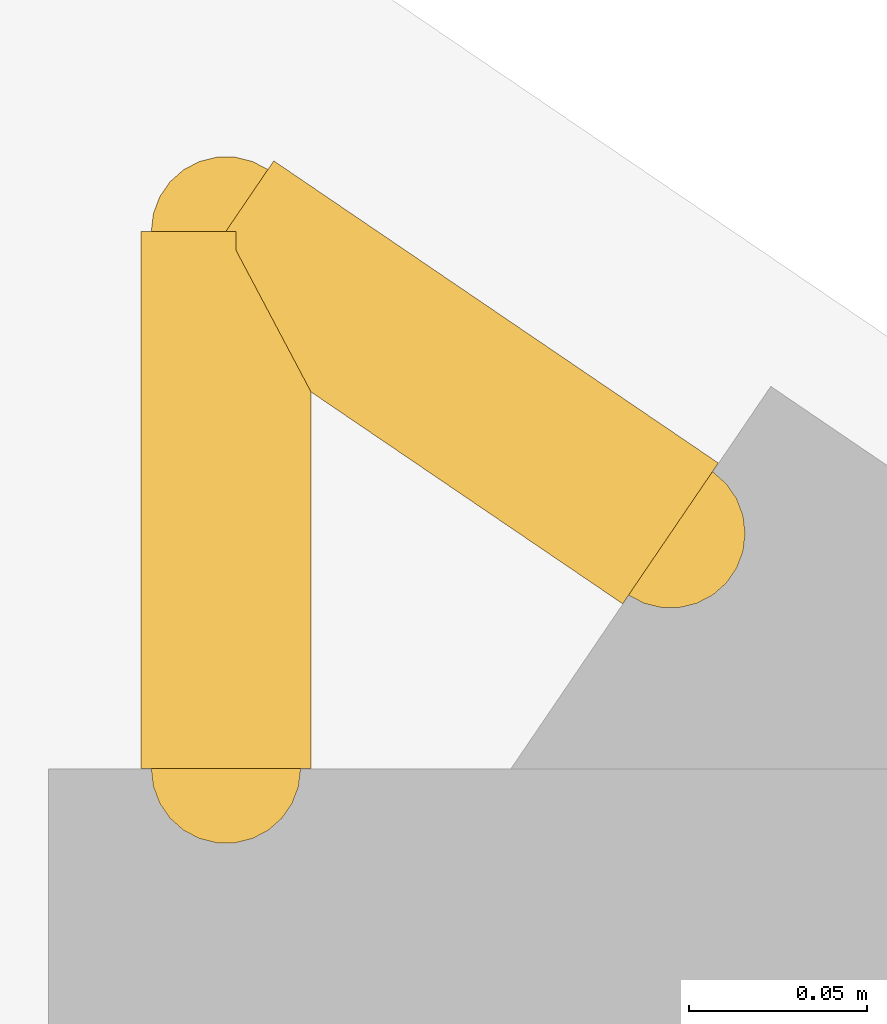
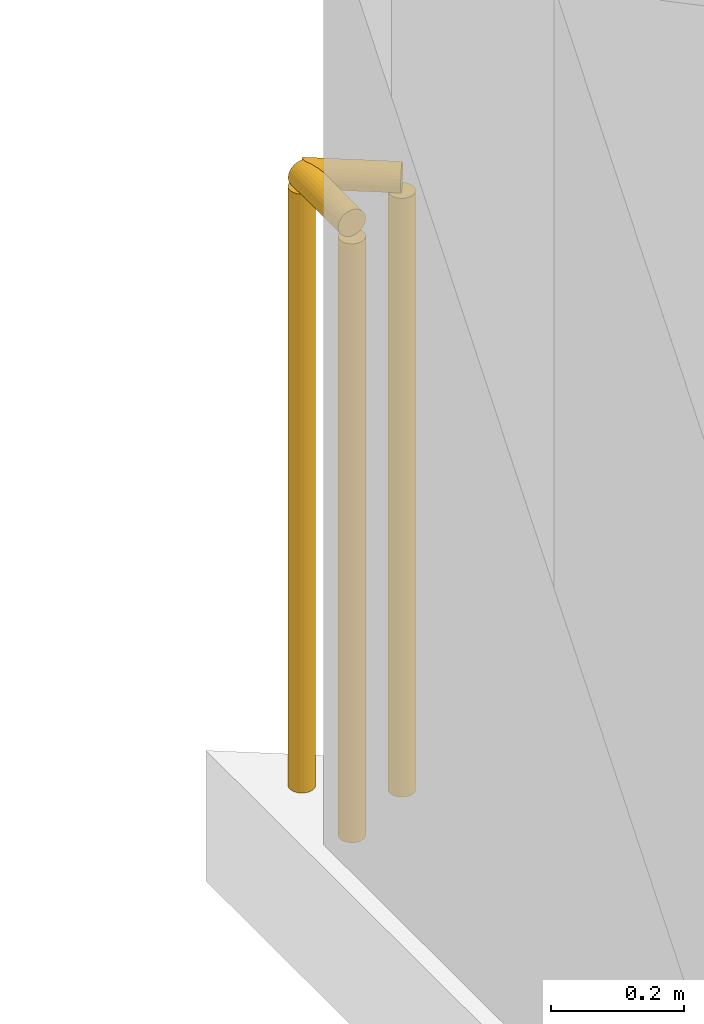
# One storey, part 17 of 18: 2 railings.
"""IFC4 building model written with IfcOpenShell, lengths in metres."""

from ifc_helpers import new_model, si_unit, direction, frame, origin, origin_2d, place, context, subcontext, project, spatial, circle, extrude, material, type_object, element, save


model = new_model("IFC4")

# Units and contexts
model_context = context("Model", 3, precision=1e-05, world=origin(), true_north=direction((0.0, 1.0)))
body_context = subcontext(model_context, "Body", "Model", "MODEL_VIEW")
ifc_project = project(units=[si_unit("LENGTHUNIT", "METRE"), si_unit("AREAUNIT", "SQUARE_METRE"), si_unit("VOLUMEUNIT", "CUBIC_METRE"), si_unit("PLANEANGLEUNIT", "RADIAN"), si_unit("MASSUNIT", "GRAM", prefix="KILO")], contexts=[model_context])

# Site, building, storey
site_placement = place(None, origin())
site = spatial("IfcSite", under=ifc_project, at=site_placement, CompositionType="ELEMENT")
building_placement = place(site_placement, origin())
building = spatial("IfcBuilding", under=site, at=building_placement, Name="Varnakote Quay Hospital", CompositionType="ELEMENT")
storey_placement = place(building_placement, frame((0.0, 0.0, 30.39990234375)))
storey = spatial("IfcBuildingStorey", under=building, at=storey_placement, Name="L07", CompositionType="ELEMENT", Elevation=30.39990234375)

# Railings
ifc_material = material(Name="Anodised aluminium 6063-T6 Bronze", Category="aluminium")
railing_type = type_object("IfcRailingType", Name="RLG-EXT-GUARD-1150", PredefinedType="GUARDRAIL", material=ifc_material)
railing_1_placement = place(storey_placement, frame((2.679931640625, 43.497802734375, 0.0)))
element("IfcRailing", 1, at=railing_1_placement, inside=storey, type_object=railing_type, Name="L07 Slab Edge Perimeter Safety Guard", PredefinedType="GUARDRAIL", context=body_context, shape_type="SweptSolid", body=[
    extrude(circle(Radius=0.02392578125, at=origin_2d()), frame((0.0, 0.0, 1.1259765625), z_axis=(0.0, 1.0, 0.0), x_axis=(-1.0, 0.0, 0.0)), (0.0, 0.0, 1.0), 0.151123046875),
    extrude(circle(Radius=0.02099609375, at=origin_2d()), origin(), (0.0, 0.0, 1.0), 1.101806640625),
    extrude(circle(Radius=0.02099609375, at=origin_2d()), frame((0.0, 0.151123046875, 0.0)), (0.0, 0.0, 1.0), 1.101806640625),
])
railing_2_placement = place(storey_placement, frame((2.679931640625, 43.64892578125, 0.0)))
element("IfcRailing", 2, at=railing_2_placement, inside=storey, type_object=railing_type, Name="L07 Slab Edge Perimeter Safety Guard", PredefinedType="GUARDRAIL", context=body_context, shape_type="SweptSolid", body=[
    extrude(circle(Radius=0.02392578125, at=origin_2d()), frame((0.0, 0.0, 1.1259765625), z_axis=(0.827046660574, -0.562133277109, 0.0), x_axis=(0.562133277109, 0.827046660574, 0.0)), (0.0, 0.0, 1.0), 0.151123046875),
    extrude(circle(Radius=0.02099609375, at=origin_2d()), origin(), (0.0, 0.0, 1.0), 1.101806640625),
    extrude(circle(Radius=0.02099609375, at=origin_2d()), frame((0.125, -0.0849609375, 0.0)), (0.0, 0.0, 1.0), 1.101806640625),
])

save(model, "model.ifc")
